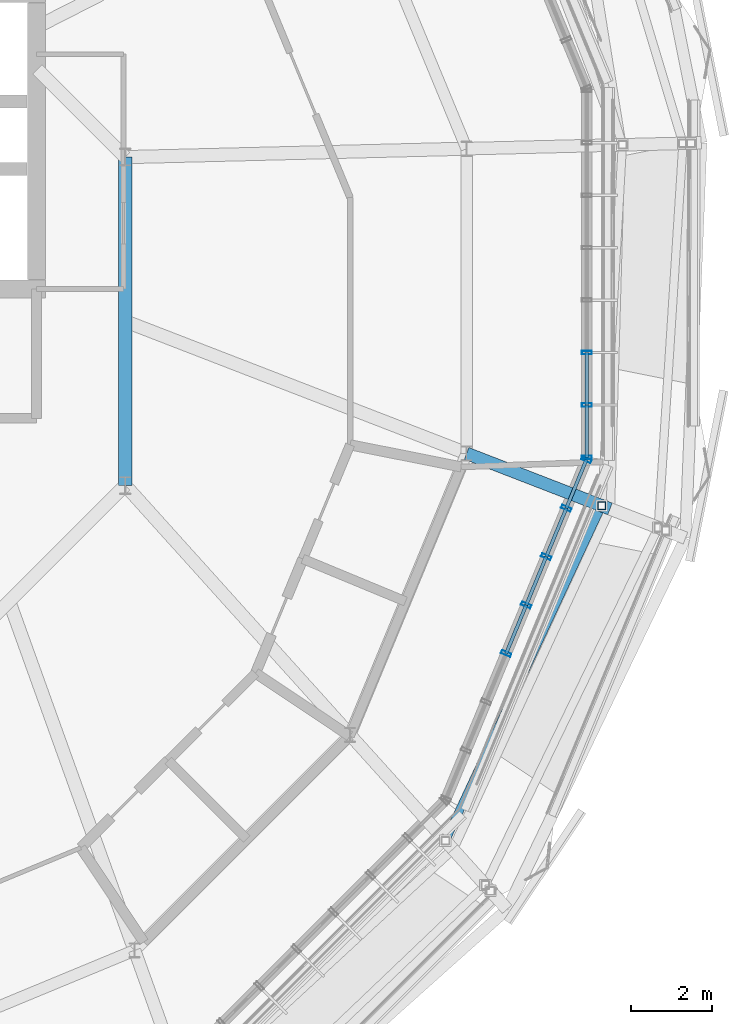
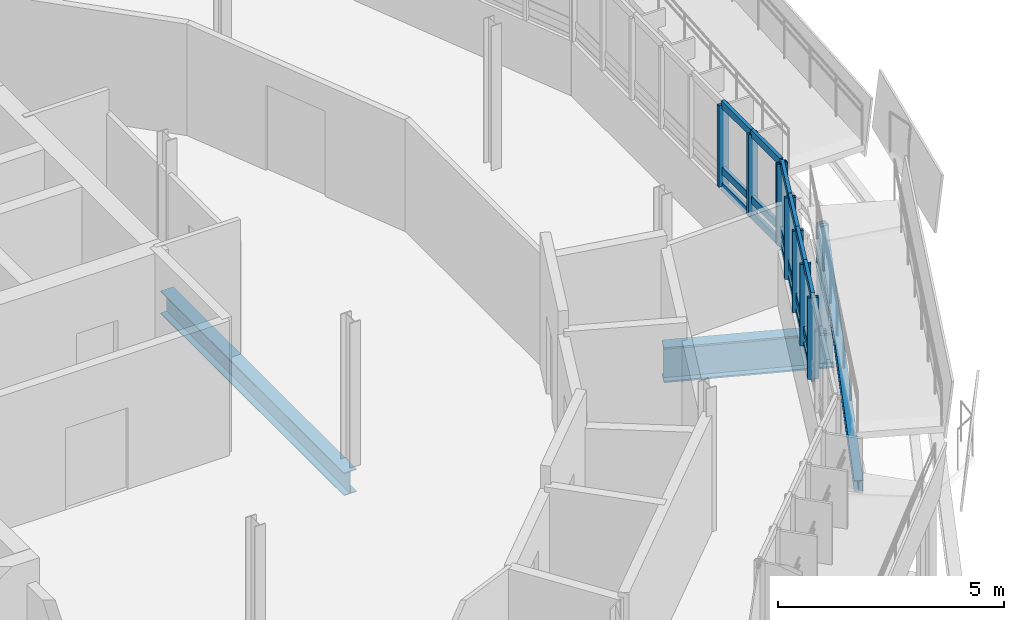
# One storey, part 13 of 38: 27 members, 3 beams, 2 elements without a shape of their own.
"""IFC4 building model written with IfcOpenShell, lengths in metres."""

from ifc_helpers import new_model, si_unit, derived_unit, direction, frame, origin, origin_2d, place, context, subcontext, project, spatial, hollow_rectangle, i_section, extrude, material, layer, layer_set, material_profile, profile_set, type_object, element, aggregate, save


model = new_model("IFC4")

# Units and contexts
model_context = context("Model", 3, precision=1e-05, world=origin(), true_north=direction((0.0, 1.0)))
body_context = subcontext(model_context, "Body", "Model", "MODEL_VIEW")
ifc_project = project(units=[si_unit("LENGTHUNIT", "METRE"), si_unit("AREAUNIT", "SQUARE_METRE"), si_unit("VOLUMEUNIT", "CUBIC_METRE"), si_unit("PLANEANGLEUNIT", "RADIAN"), si_unit("MASSUNIT", "GRAM", prefix="KILO"), derived_unit("THERMALTRANSMITTANCEUNIT", [(si_unit("MASSUNIT", "GRAM", prefix="KILO"), 1), (si_unit("TIMEUNIT", "SECOND"), -3), (si_unit("THERMODYNAMICTEMPERATUREUNIT", "KELVIN"), -1)])], contexts=[model_context])

# Site, building, storey
site_placement = place(None, origin())
site = spatial("IfcSite", under=ifc_project, at=site_placement, CompositionType="ELEMENT")
building_placement = place(site_placement, origin())
building = spatial("IfcBuilding", under=site, at=building_placement, Name="Makaiwela Harbour Ferry Terminal", CompositionType="ELEMENT")
storey_placement = place(building_placement, frame((0.0, 0.0, 17.699951171875)))
storey = spatial("IfcBuildingStorey", under=building, at=storey_placement, Name="L04", CompositionType="ELEMENT", Elevation=17.699951171875)

# Curtain wall, members
ifc_material_1 = material(Name="Marine anodised aluminium 6063-T6", Category="aluminium")
ifc_layer = layer(ifc_material_1, 0.199951171875)
ifc_layer_set = layer_set([ifc_layer], Name="Marine anodised aluminium 6063-T6")
curtain_wall_type = type_object("IfcCurtainWallType", Name="ENV-CW-06", PredefinedType="USERDEFINED", material=ifc_layer_set)
curtain_wall_1_placement = place(storey_placement, origin())
curtain_wall_1 = element("IfcCurtainWall", 1, at=curtain_wall_1_placement, inside=storey, type_object=curtain_wall_type, Name="Unitised Curtain Wall CWA-056", ObjectType="UNITIZED CURTAIN WALL", PredefinedType="USERDEFINED")
ifc_material_profile_1 = material_profile(ifc_material_1, hollow_rectangle(XDim=0.0849609375, YDim=0.25, WallThickness=0.0048828125, at=origin_2d()), Name="CWM-250X85")
ifc_profile_set_1 = profile_set([ifc_material_profile_1], Name="Marine anodised aluminium 6063-T6")
member_type_1 = type_object("IfcMemberType", Name="CW-MUL-250", PredefinedType="MULLION", material=ifc_profile_set_1)
member_1_placement = place(storey_placement, frame((57.005615234375, 59.388671875, 1.47998046875), z_axis=(0.0, 0.0, 1.0), x_axis=(0.382683432365, 0.923879532511, 0.0)))
member_1 = element("IfcMember", 2, at=member_1_placement, type_object=member_type_1, Name="Curtain Wall Mullion CWA-056-4", PredefinedType="MULLION", context=body_context, shape_type="SweptSolid", body=[
    extrude(hollow_rectangle(XDim=0.0849609375, YDim=0.25, WallThickness=0.0048828125, at=origin_2d()), origin(), (0.0, 0.0, 1.0), 2.199951171875),
])
member_2_placement = place(storey_placement, frame((57.501220703125, 60.5859375, 1.47998046875), z_axis=(0.0, 0.0, 1.0), x_axis=(0.382683432365, 0.923879532511, 0.0)))
member_2 = element("IfcMember", 3, at=member_2_placement, type_object=member_type_1, Name="Curtain Wall Mullion CWA-056-5", PredefinedType="MULLION", context=body_context, shape_type="SweptSolid", body=[
    extrude(hollow_rectangle(XDim=0.0849609375, YDim=0.25, WallThickness=0.0048828125, at=origin_2d()), origin(), (0.0, 0.0, 1.0), 2.199951171875),
])
member_3_placement = place(storey_placement, frame((57.997314453125, 61.782958984375, 1.47998046875), z_axis=(0.0, 0.0, 1.0), x_axis=(0.382683432365, 0.923879532511, 0.0)))
member_3 = element("IfcMember", 4, at=member_3_placement, type_object=member_type_1, Name="Curtain Wall Mullion CWA-056-6", PredefinedType="MULLION", context=body_context, shape_type="SweptSolid", body=[
    extrude(hollow_rectangle(XDim=0.0849609375, YDim=0.25, WallThickness=0.0048828125, at=origin_2d()), origin(), (0.0, 0.0, 1.0), 2.199951171875),
])
member_4_placement = place(storey_placement, frame((58.492919921875, 62.97998046875, 1.47998046875), z_axis=(0.0, 0.0, 1.0), x_axis=(0.382683432365, 0.923879532511, 0.0)))
member_4 = element("IfcMember", 5, at=member_4_placement, type_object=member_type_1, Name="Curtain Wall Mullion CWA-056-7", PredefinedType="MULLION", context=body_context, shape_type="SweptSolid", body=[
    extrude(hollow_rectangle(XDim=0.0849609375, YDim=0.25, WallThickness=0.0048828125, at=origin_2d()), origin(), (0.0, 0.0, 1.0), 2.199951171875),
])
member_5_placement = place(storey_placement, frame((58.989013671875, 64.17724609375, 1.47998046875), z_axis=(0.0, 0.0, 1.0), x_axis=(0.382683432365, 0.923879532511, 0.0)))
member_5 = element("IfcMember", 6, at=member_5_placement, type_object=member_type_1, Name="Curtain Wall Mullion CWA-056-8", PredefinedType="MULLION", context=body_context, shape_type="SweptSolid", body=[
    extrude(hollow_rectangle(XDim=0.0849609375, YDim=0.25, WallThickness=0.0048828125, at=origin_2d()), origin(), (0.0, 0.0, 1.0), 2.199951171875),
])

curtain_wall_2_placement = place(storey_placement, origin())
curtain_wall_2 = element("IfcCurtainWall", 7, at=curtain_wall_2_placement, inside=storey, type_object=curtain_wall_type, Name="Unitised Curtain Wall CWA-057", ObjectType="UNITIZED CURTAIN WALL", PredefinedType="USERDEFINED")
member_6_placement = place(storey_placement, frame((59.00048828125, 64.23486328125, 1.47998046875), z_axis=(0.0, 0.0, 1.0), x_axis=(0.0, 1.0, 0.0)))
member_6 = element("IfcMember", 8, at=member_6_placement, type_object=member_type_1, Name="Curtain Wall Mullion CWA-057-1", PredefinedType="MULLION", context=body_context, shape_type="SweptSolid", body=[
    extrude(hollow_rectangle(XDim=0.0849609375, YDim=0.25, WallThickness=0.0048828125, at=origin_2d()), origin(), (0.0, 0.0, 1.0), 2.199951171875),
])
member_7_placement = place(storey_placement, frame((59.00048828125, 65.530517578125, 1.47998046875), z_axis=(0.0, 0.0, 1.0), x_axis=(0.0, 1.0, 0.0)))
member_7 = element("IfcMember", 9, at=member_7_placement, type_object=member_type_1, Name="Curtain Wall Mullion CWA-057-2", PredefinedType="MULLION", context=body_context, shape_type="SweptSolid", body=[
    extrude(hollow_rectangle(XDim=0.0849609375, YDim=0.25, WallThickness=0.0048828125, at=origin_2d()), origin(), (0.0, 0.0, 1.0), 2.199951171875),
])
member_8_placement = place(storey_placement, frame((59.00048828125, 66.826416015625, 1.47998046875), z_axis=(0.0, 0.0, 1.0), x_axis=(0.0, 1.0, 0.0)))
member_8 = element("IfcMember", 10, at=member_8_placement, type_object=member_type_1, Name="Curtain Wall Mullion CWA-057-3", PredefinedType="MULLION", context=body_context, shape_type="SweptSolid", body=[
    extrude(hollow_rectangle(XDim=0.0849609375, YDim=0.25, WallThickness=0.0048828125, at=origin_2d()), origin(), (0.0, 0.0, 1.0), 2.199951171875),
])

# Member
ifc_material_profile_2 = material_profile(ifc_material_1, hollow_rectangle(XDim=0.0849609375, YDim=0.199951171875, WallThickness=0.0048828125, at=origin_2d()), Name="CWT-200X85")
ifc_profile_set_2 = profile_set([ifc_material_profile_2], Name="Marine anodised aluminium 6063-T6")
member_type_2 = type_object("IfcMemberType", Name="CW-TRN-200", PredefinedType="USERDEFINED", material=ifc_profile_set_2)
member_9_placement = place(storey_placement, frame((57.005615234375, 59.388671875, 1.47998046875), z_axis=(0.382473826, 0.923966326456, 0.0), x_axis=(-0.923966326456, 0.382473826, 0.0)))
member_9 = element("IfcMember", 11, at=member_9_placement, type_object=member_type_2, Name="Curtain Wall Transom CWA-056-4-1", ObjectType="TRANSOM", PredefinedType="USERDEFINED", context=body_context, shape_type="SweptSolid", body=[
    extrude(hollow_rectangle(XDim=0.0849609375, YDim=0.199951171875, WallThickness=0.0048828125, at=origin_2d()), origin(), (0.0, 0.0, 1.0), 1.2958984375),
])

member_10_placement = place(storey_placement, frame((57.005615234375, 59.388671875, 1.900146484375), z_axis=(0.382473826, 0.923966326456, 0.0), x_axis=(-0.923966326456, 0.382473826, 0.0)))
member_10 = element("IfcMember", 12, at=member_10_placement, type_object=member_type_2, Name="Curtain Wall Transom CWA-056-4-2", ObjectType="TRANSOM", PredefinedType="USERDEFINED", context=body_context, shape_type="SweptSolid", body=[
    extrude(hollow_rectangle(XDim=0.0849609375, YDim=0.199951171875, WallThickness=0.0048828125, at=origin_2d()), origin(), (0.0, 0.0, 1.0), 1.2958984375),
])

member_11_placement = place(storey_placement, frame((57.005615234375, 59.388671875, 3.679931640625), z_axis=(0.382473826, 0.923966326456, 0.0), x_axis=(-0.923966326456, 0.382473826, 0.0)))
member_11 = element("IfcMember", 13, at=member_11_placement, type_object=member_type_2, Name="Curtain Wall Transom CWA-056-4-3", ObjectType="TRANSOM", PredefinedType="USERDEFINED", context=body_context, shape_type="SweptSolid", body=[
    extrude(hollow_rectangle(XDim=0.0849609375, YDim=0.199951171875, WallThickness=0.0048828125, at=origin_2d()), origin(), (0.0, 0.0, 1.0), 1.2958984375),
])

member_12_placement = place(storey_placement, frame((57.501220703125, 60.5859375, 1.47998046875), z_axis=(0.382862084562, 0.92380551211, 0.0), x_axis=(-0.92380551211, 0.382862084562, 0.0)))
member_12 = element("IfcMember", 14, at=member_12_placement, type_object=member_type_2, Name="Curtain Wall Transom CWA-056-5-1", ObjectType="TRANSOM", PredefinedType="USERDEFINED", context=body_context, shape_type="SweptSolid", body=[
    extrude(hollow_rectangle(XDim=0.0849609375, YDim=0.199951171875, WallThickness=0.0048828125, at=origin_2d()), origin(), (0.0, 0.0, 1.0), 1.295654296875),
])

member_13_placement = place(storey_placement, frame((57.501220703125, 60.5859375, 1.900146484375), z_axis=(0.382862084562, 0.92380551211, 0.0), x_axis=(-0.92380551211, 0.382862084562, 0.0)))
member_13 = element("IfcMember", 15, at=member_13_placement, type_object=member_type_2, Name="Curtain Wall Transom CWA-056-5-2", ObjectType="TRANSOM", PredefinedType="USERDEFINED", context=body_context, shape_type="SweptSolid", body=[
    extrude(hollow_rectangle(XDim=0.0849609375, YDim=0.199951171875, WallThickness=0.0048828125, at=origin_2d()), origin(), (0.0, 0.0, 1.0), 1.295654296875),
])

member_14_placement = place(storey_placement, frame((57.501220703125, 60.5859375, 3.679931640625), z_axis=(0.382862084562, 0.92380551211, 0.0), x_axis=(-0.92380551211, 0.382862084562, 0.0)))
member_14 = element("IfcMember", 16, at=member_14_placement, type_object=member_type_2, Name="Curtain Wall Transom CWA-056-5-3", ObjectType="TRANSOM", PredefinedType="USERDEFINED", context=body_context, shape_type="SweptSolid", body=[
    extrude(hollow_rectangle(XDim=0.0849609375, YDim=0.199951171875, WallThickness=0.0048828125, at=origin_2d()), origin(), (0.0, 0.0, 1.0), 1.295654296875),
])

member_15_placement = place(storey_placement, frame((57.997314453125, 61.782958984375, 1.47998046875), z_axis=(0.382540419629, 0.923938757359, 0.0), x_axis=(-0.923938757359, 0.382540419629, 0.0)))
member_15 = element("IfcMember", 17, at=member_15_placement, type_object=member_type_2, Name="Curtain Wall Transom CWA-056-6-1", ObjectType="TRANSOM", PredefinedType="USERDEFINED", context=body_context, shape_type="SweptSolid", body=[
    extrude(hollow_rectangle(XDim=0.0849609375, YDim=0.199951171875, WallThickness=0.0048828125, at=origin_2d()), origin(), (0.0, 0.0, 1.0), 1.295654296875),
])

member_16_placement = place(storey_placement, frame((57.997314453125, 61.782958984375, 1.900146484375), z_axis=(0.382540419629, 0.923938757359, 0.0), x_axis=(-0.923938757359, 0.382540419629, 0.0)))
member_16 = element("IfcMember", 18, at=member_16_placement, type_object=member_type_2, Name="Curtain Wall Transom CWA-056-6-2", ObjectType="TRANSOM", PredefinedType="USERDEFINED", context=body_context, shape_type="SweptSolid", body=[
    extrude(hollow_rectangle(XDim=0.0849609375, YDim=0.199951171875, WallThickness=0.0048828125, at=origin_2d()), origin(), (0.0, 0.0, 1.0), 1.295654296875),
])

member_17_placement = place(storey_placement, frame((57.997314453125, 61.782958984375, 3.679931640625), z_axis=(0.382540419629, 0.923938757359, 0.0), x_axis=(-0.923938757359, 0.382540419629, 0.0)))
member_17 = element("IfcMember", 19, at=member_17_placement, type_object=member_type_2, Name="Curtain Wall Transom CWA-056-6-3", ObjectType="TRANSOM", PredefinedType="USERDEFINED", context=body_context, shape_type="SweptSolid", body=[
    extrude(hollow_rectangle(XDim=0.0849609375, YDim=0.199951171875, WallThickness=0.0048828125, at=origin_2d()), origin(), (0.0, 0.0, 1.0), 1.295654296875),
])

member_18_placement = place(storey_placement, frame((58.492919921875, 62.97998046875, 1.47998046875), z_axis=(0.382795454155, 0.92383312361, 0.0), x_axis=(-0.92383312361, 0.382795454155, 0.0)))
member_18 = element("IfcMember", 20, at=member_18_placement, type_object=member_type_2, Name="Curtain Wall Transom CWA-056-7-1", ObjectType="TRANSOM", PredefinedType="USERDEFINED", context=body_context, shape_type="SweptSolid", body=[
    extrude(hollow_rectangle(XDim=0.0849609375, YDim=0.199951171875, WallThickness=0.0048828125, at=origin_2d()), origin(), (0.0, 0.0, 1.0), 1.2958984375),
])

member_19_placement = place(storey_placement, frame((58.492919921875, 62.97998046875, 1.900146484375), z_axis=(0.382795454155, 0.92383312361, 0.0), x_axis=(-0.92383312361, 0.382795454155, 0.0)))
member_19 = element("IfcMember", 21, at=member_19_placement, type_object=member_type_2, Name="Curtain Wall Transom CWA-056-7-2", ObjectType="TRANSOM", PredefinedType="USERDEFINED", context=body_context, shape_type="SweptSolid", body=[
    extrude(hollow_rectangle(XDim=0.0849609375, YDim=0.199951171875, WallThickness=0.0048828125, at=origin_2d()), origin(), (0.0, 0.0, 1.0), 1.2958984375),
])

member_20_placement = place(storey_placement, frame((58.492919921875, 62.97998046875, 3.679931640625), z_axis=(0.382795454155, 0.92383312361, 0.0), x_axis=(-0.92383312361, 0.382795454155, 0.0)))
member_20 = element("IfcMember", 22, at=member_20_placement, type_object=member_type_2, Name="Curtain Wall Transom CWA-056-7-3", ObjectType="TRANSOM", PredefinedType="USERDEFINED", context=body_context, shape_type="SweptSolid", body=[
    extrude(hollow_rectangle(XDim=0.0849609375, YDim=0.199951171875, WallThickness=0.0048828125, at=origin_2d()), origin(), (0.0, 0.0, 1.0), 1.2958984375),
])

aggregate(curtain_wall_1, [member_1, member_2, member_3, member_4, member_5, member_9, member_10, member_11, member_12, member_13, member_14, member_15, member_16, member_17, member_18, member_19, member_20])

member_21_placement = place(storey_placement, frame((59.00048828125, 64.23486328125, 1.47998046875), z_axis=(0.0, 1.0, 0.0), x_axis=(-1.0, 0.0, 0.0)))
member_21 = element("IfcMember", 23, at=member_21_placement, type_object=member_type_2, Name="Curtain Wall Transom CWA-057-1-1", ObjectType="TRANSOM", PredefinedType="USERDEFINED", context=body_context, shape_type="SweptSolid", body=[
    extrude(hollow_rectangle(XDim=0.0849609375, YDim=0.199951171875, WallThickness=0.0048828125, at=origin_2d()), origin(), (0.0, 0.0, 1.0), 1.295654296875),
])

member_22_placement = place(storey_placement, frame((59.00048828125, 64.23486328125, 1.900146484375), z_axis=(0.0, 1.0, 0.0), x_axis=(-1.0, 0.0, 0.0)))
member_22 = element("IfcMember", 24, at=member_22_placement, type_object=member_type_2, Name="Curtain Wall Transom CWA-057-1-2", ObjectType="TRANSOM", PredefinedType="USERDEFINED", context=body_context, shape_type="SweptSolid", body=[
    extrude(hollow_rectangle(XDim=0.0849609375, YDim=0.199951171875, WallThickness=0.0048828125, at=origin_2d()), origin(), (0.0, 0.0, 1.0), 1.295654296875),
])

member_23_placement = place(storey_placement, frame((59.00048828125, 64.23486328125, 3.679931640625), z_axis=(0.0, 1.0, 0.0), x_axis=(-1.0, 0.0, 0.0)))
member_23 = element("IfcMember", 25, at=member_23_placement, type_object=member_type_2, Name="Curtain Wall Transom CWA-057-1-3", ObjectType="TRANSOM", PredefinedType="USERDEFINED", context=body_context, shape_type="SweptSolid", body=[
    extrude(hollow_rectangle(XDim=0.0849609375, YDim=0.199951171875, WallThickness=0.0048828125, at=origin_2d()), origin(), (0.0, 0.0, 1.0), 1.295654296875),
])

member_24_placement = place(storey_placement, frame((59.00048828125, 65.530517578125, 1.47998046875), z_axis=(0.0, 1.0, 0.0), x_axis=(-1.0, 0.0, 0.0)))
member_24 = element("IfcMember", 26, at=member_24_placement, type_object=member_type_2, Name="Curtain Wall Transom CWA-057-2-1", ObjectType="TRANSOM", PredefinedType="USERDEFINED", context=body_context, shape_type="SweptSolid", body=[
    extrude(hollow_rectangle(XDim=0.0849609375, YDim=0.199951171875, WallThickness=0.0048828125, at=origin_2d()), origin(), (0.0, 0.0, 1.0), 1.2958984375),
])

member_25_placement = place(storey_placement, frame((59.00048828125, 65.530517578125, 1.900146484375), z_axis=(0.0, 1.0, 0.0), x_axis=(-1.0, 0.0, 0.0)))
member_25 = element("IfcMember", 27, at=member_25_placement, type_object=member_type_2, Name="Curtain Wall Transom CWA-057-2-2", ObjectType="TRANSOM", PredefinedType="USERDEFINED", context=body_context, shape_type="SweptSolid", body=[
    extrude(hollow_rectangle(XDim=0.0849609375, YDim=0.199951171875, WallThickness=0.0048828125, at=origin_2d()), origin(), (0.0, 0.0, 1.0), 1.2958984375),
])

member_26_placement = place(storey_placement, frame((59.00048828125, 65.530517578125, 3.679931640625), z_axis=(0.0, 1.0, 0.0), x_axis=(-1.0, 0.0, 0.0)))
member_26 = element("IfcMember", 28, at=member_26_placement, type_object=member_type_2, Name="Curtain Wall Transom CWA-057-2-3", ObjectType="TRANSOM", PredefinedType="USERDEFINED", context=body_context, shape_type="SweptSolid", body=[
    extrude(hollow_rectangle(XDim=0.0849609375, YDim=0.199951171875, WallThickness=0.0048828125, at=origin_2d()), origin(), (0.0, 0.0, 1.0), 1.2958984375),
])

aggregate(curtain_wall_2, [member_6, member_7, member_8, member_21, member_22, member_23, member_24, member_25, member_26])

# Beams
ifc_material_2 = material(Name="Steel ASTM A992 Grade 50", Category="steel")
ifc_material_profile_3 = material_profile(ifc_material_2, i_section(OverallWidth=0.324951171875, OverallDepth=0.615966796875, WebThickness=0.013916015625, FlangeThickness=0.021484375, at=origin_2d()), Name="W24X117")
ifc_profile_set_3 = profile_set([ifc_material_profile_3], Name="Steel ASTM A992 Grade 50")
beam_type_1 = type_object("IfcBeamType", Name="STR-GRD-W24X117", PredefinedType="USERDEFINED", material=ifc_profile_set_3)
beam_1_placement = place(storey_placement, frame((47.593017578125, 63.543701171875, -0.56298828125), z_axis=(0.0, 1.0, 0.0), x_axis=(-1.0, 0.0, 0.0)))
element("IfcBeam", 29, at=beam_1_placement, inside=storey, type_object=beam_type_1, Name="Drum inner ring girder 380", ObjectType="GIRDER", PredefinedType="USERDEFINED", context=body_context, shape_type="SweptSolid", body=[
    extrude(i_section(OverallWidth=0.324951171875, OverallDepth=0.615966796875, WebThickness=0.013916015625, FlangeThickness=0.021484375, at=origin_2d()), origin(), (0.0, 0.0, 1.0), 8.11279296875),
])
ifc_material_profile_4 = material_profile(ifc_material_2, i_section(OverallWidth=0.31005859375, OverallDepth=0.949951171875, WebThickness=0.0244140625, FlangeThickness=0.0439453125, at=origin_2d()), Name="W36X256")
ifc_profile_set_4 = profile_set([ifc_material_profile_4], Name="Steel ASTM A992 Grade 50")
beam_type_2 = type_object("IfcBeamType", Name="STR-GRD-W36X256", PredefinedType="USERDEFINED", material=ifc_profile_set_4)
beam_2_placement = place(storey_placement, frame((56.029296875, 64.334716796875, -0.72998046875), z_axis=(0.93258344757, -0.360954447706, 0.0), x_axis=(0.360954447706, 0.93258344757, 0.0)))
element("IfcBeam", 30, at=beam_2_placement, inside=storey, type_object=beam_type_2, Name="Drum radial overhang 451", ObjectType="GIRDER", PredefinedType="USERDEFINED", context=body_context, shape_type="SweptSolid", body=[
    extrude(i_section(OverallWidth=0.31005859375, OverallDepth=0.949951171875, WebThickness=0.0244140625, FlangeThickness=0.0439453125, at=origin_2d()), origin(), (0.0, 0.0, 1.0), 3.7998046875),
])
ifc_material_profile_5 = material_profile(ifc_material_2, i_section(OverallWidth=0.205078125, OverallDepth=0.31005859375, WebThickness=0.009521484375, FlangeThickness=0.016357421875, at=origin_2d()), Name="W12X50")
ifc_profile_set_5 = profile_set([ifc_material_profile_5], Name="Steel ASTM A992 Grade 50")
beam_type_3 = type_object("IfcBeamType", Name="STR-LNT-W12X50", PredefinedType="LINTEL", material=ifc_profile_set_5)
beam_3_placement = place(storey_placement, frame((55.50390625, 54.761474609375, 1.898681640625), z_axis=(0.422060834603, 0.904522742711, 0.060854414896), x_axis=(-0.906202250254, 0.422844512361, 0.0)))
element("IfcBeam", 31, at=beam_3_placement, inside=storey, type_object=beam_type_3, Name="Coiled Ramp Stringer L04-F5-IN", PredefinedType="LINTEL", context=body_context, shape_type="SweptSolid", body=[
    extrude(i_section(OverallWidth=0.205078125, OverallDepth=0.31005859375, WebThickness=0.009521484375, FlangeThickness=0.016357421875, at=origin_2d()), origin(), (0.0, 0.0, 1.0), 9.155029296875),
])

# Member
ifc_material_3 = material(Name="Steel ASTM A500 Grade C", Category="steel")
ifc_material_profile_6 = material_profile(ifc_material_3, hollow_rectangle(XDim=0.202880859375, YDim=0.202880859375, WallThickness=0.01171875, at=origin_2d()), Name="HSS8X8X1/2")
ifc_profile_set_6 = profile_set([ifc_material_profile_6], Name="Steel ASTM A500 Grade C")
member_type_3 = type_object("IfcMemberType", Name="STR-PST-HSS8", PredefinedType="POST", material=ifc_profile_set_6)
member_27_placement = place(storey_placement, frame((59.367919921875, 63.04248046875, -0.27490234375), z_axis=(0.0, 0.0, 1.0), x_axis=(1.0, 0.0, 0.0)))
element("IfcMember", 32, at=member_27_placement, inside=storey, type_object=member_type_3, Name="Exterior Ramp Support Post RP-0117", PredefinedType="POST", context=body_context, shape_type="SweptSolid", body=[
    extrude(hollow_rectangle(XDim=0.202880859375, YDim=0.202880859375, WallThickness=0.01171875, at=origin_2d()), origin(), (0.0, 0.0, 1.0), 2.8857421875),
])

save(model, "model.ifc")
